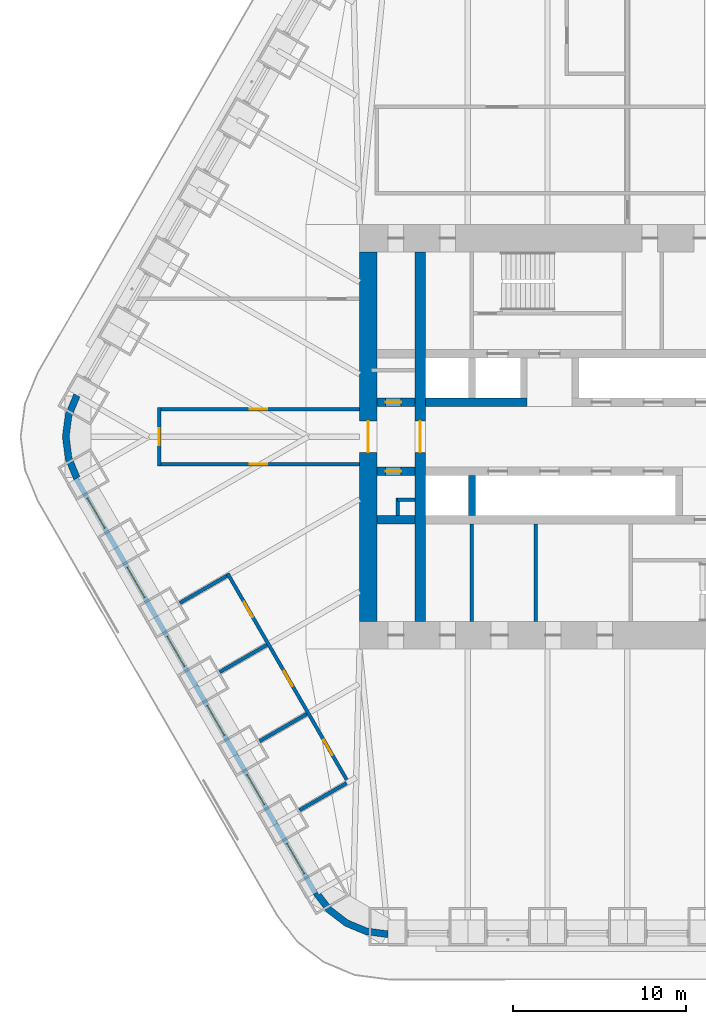
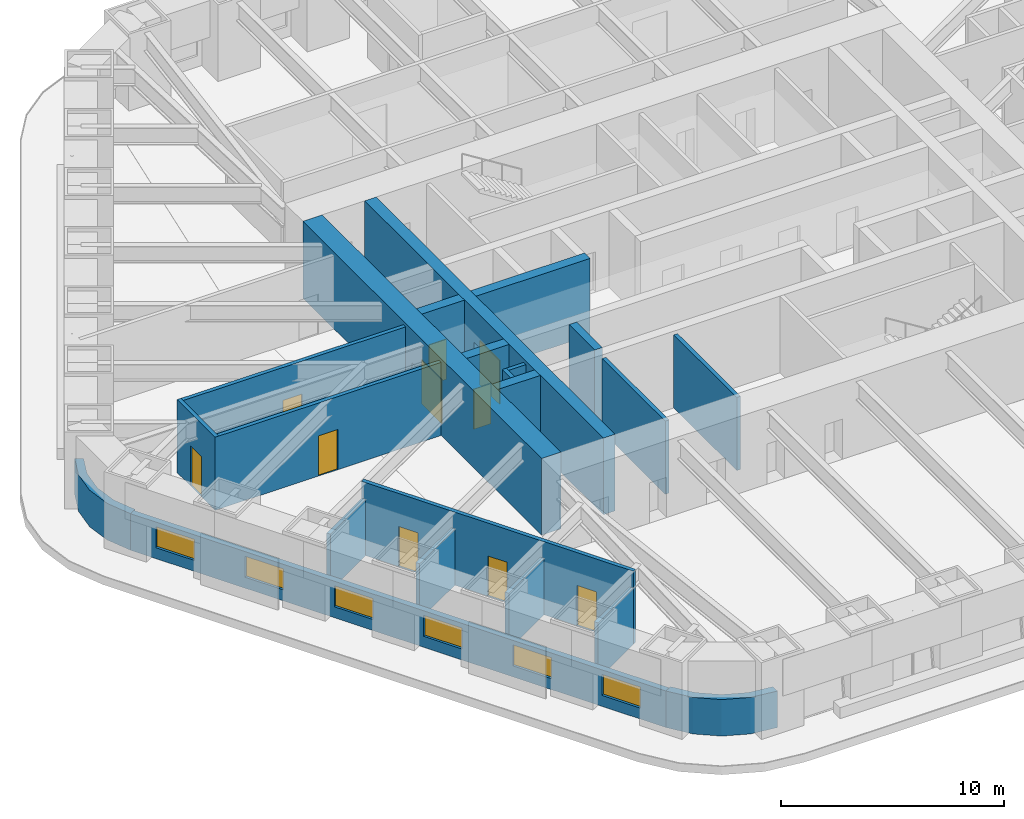
# One storey, part 14 of 20: 22 walls, 10 doors, 6 windows, 16 openings.
"""IFC4 building model written with IfcOpenShell, lengths in metres."""

from ifc_helpers import new_model, si_unit, direction, frame, frame_2d, origin, place, context, subcontext, project, spatial, polyline, rectangle, outline, extrude, material, layer, layer_set, type_object, element, fill, save


model = new_model("IFC4")

# Units and contexts
model_context = context("Model", 3, precision=1e-05, world=origin(), true_north=direction((0.0, 1.0)))
body_context = subcontext(model_context, "Body", "Model", "MODEL_VIEW")
ifc_project = project(units=[si_unit("LENGTHUNIT", "METRE"), si_unit("AREAUNIT", "SQUARE_METRE"), si_unit("VOLUMEUNIT", "CUBIC_METRE"), si_unit("PLANEANGLEUNIT", "RADIAN"), si_unit("MASSUNIT", "GRAM", prefix="KILO")], contexts=[model_context])

# Site, building, storey
site_placement = place(None, origin())
site = spatial("IfcSite", under=ifc_project, at=site_placement, CompositionType="ELEMENT")
building_placement = place(site_placement, origin())
building = spatial("IfcBuilding", under=site, at=building_placement, Name="Tarfa Lantern Tower", CompositionType="ELEMENT")
storey_placement = place(building_placement, frame((0.0, 0.0, 215.5)))
storey = spatial("IfcBuildingStorey", under=building, at=storey_placement, Name="L48", CompositionType="ELEMENT", Elevation=215.5)

# Wall, openings, windows
ifc_material_1 = material(Name="Limestone cladding on blockwork", Category="masonry")
ifc_layer_1 = layer(ifc_material_1, 0.300048828125)
ifc_layer_set_1 = layer_set([ifc_layer_1], Name="EW1 STONE-CLAD WALL 300")
wall_type_1 = type_object("IfcWallType", Name="EW1 STONE-CLAD WALL 300", PredefinedType="SOLIDWALL", material=ifc_layer_set_1)
wall_1_placement = place(storey_placement, frame((-31.9130859375, -2.425048828125, 0.0), z_axis=(0.0, 0.0, 1.0), x_axis=(0.500001051461, -0.866024796723, 0.0)))
wall_1 = element("IfcWall", 1, at=wall_1_placement, inside=storey, type_object=wall_type_1, Name="Stone wall SW", PredefinedType="SOLIDWALL", context=body_context, shape_type="SweptSolid", body=[
    extrude(rectangle(XDim=27.712890625, YDim=0.300048828125, at=frame_2d((13.8564453125, 0.0))), origin(), (0.0, 0.0, 1.0), 2.0),
])
opening_1_placement = place(wall_1_placement, frame((1.309326171875, 0.0, 0.60009765625)))
opening_1 = element("IfcOpeningElement", 2, at=opening_1_placement, cuts=wall_1, Name="Opening W12", PredefinedType="OPENING", context=body_context, shape_type="SweptSolid", body=[
    extrude(rectangle(XDim=2.0, YDim=1.14990234375, at=frame_2d((1.0, 0.574951171875))), frame((0.0, 0.159912109375, 0.0), z_axis=(0.0, -1.0, 0.0), x_axis=(1.0, 0.0, 0.0)), (0.0, 0.0, 1.0), 0.320068359375),
])
opening_2_placement = place(wall_1_placement, frame((5.92822265625, 0.0, 0.60009765625)))
opening_2 = element("IfcOpeningElement", 3, at=opening_2_placement, cuts=wall_1, Name="Opening W12", PredefinedType="OPENING", context=body_context, shape_type="SweptSolid", body=[
    extrude(rectangle(XDim=2.0, YDim=1.14990234375, at=frame_2d((1.0, 0.574951171875))), frame((0.0, 0.159912109375, 0.0), z_axis=(0.0, -1.0, 0.0), x_axis=(1.0, 0.0, 0.0)), (0.0, 0.0, 1.0), 0.320068359375),
])
opening_3_placement = place(wall_1_placement, frame((10.547119140625, 0.0, 0.60009765625)))
opening_3 = element("IfcOpeningElement", 4, at=opening_3_placement, cuts=wall_1, Name="Opening W12", PredefinedType="OPENING", context=body_context, shape_type="SweptSolid", body=[
    extrude(rectangle(XDim=2.0, YDim=1.14990234375, at=frame_2d((1.0, 0.574951171875))), frame((0.0, 0.159912109375, 0.0), z_axis=(0.0, -1.0, 0.0), x_axis=(1.0, 0.0, 0.0)), (0.0, 0.0, 1.0), 0.320068359375),
])
opening_4_placement = place(wall_1_placement, frame((15.165771484375, 0.0, 0.60009765625)))
opening_4 = element("IfcOpeningElement", 5, at=opening_4_placement, cuts=wall_1, Name="Opening W12", PredefinedType="OPENING", context=body_context, shape_type="SweptSolid", body=[
    extrude(rectangle(XDim=2.0, YDim=1.14990234375, at=frame_2d((1.0, 0.574951171875))), frame((0.0, 0.159912109375, 0.0), z_axis=(0.0, -1.0, 0.0), x_axis=(1.0, 0.0, 0.0)), (0.0, 0.0, 1.0), 0.320068359375),
])
opening_5_placement = place(wall_1_placement, frame((19.78466796875, 0.0, 0.60009765625)))
opening_5 = element("IfcOpeningElement", 6, at=opening_5_placement, cuts=wall_1, Name="Opening W12", PredefinedType="OPENING", context=body_context, shape_type="SweptSolid", body=[
    extrude(rectangle(XDim=2.0, YDim=1.14990234375, at=frame_2d((1.0, 0.574951171875))), frame((0.0, 0.159912109375, 0.0), z_axis=(0.0, -1.0, 0.0), x_axis=(1.0, 0.0, 0.0)), (0.0, 0.0, 1.0), 0.320068359375),
])
opening_6_placement = place(wall_1_placement, frame((24.4033203125, 0.0, 0.60009765625)))
opening_6 = element("IfcOpeningElement", 7, at=opening_6_placement, cuts=wall_1, Name="Opening W12", PredefinedType="OPENING", context=body_context, shape_type="SweptSolid", body=[
    extrude(rectangle(XDim=2.0, YDim=1.14990234375, at=frame_2d((1.0, 0.574951171875))), frame((0.0, 0.159912109375, 0.0), z_axis=(0.0, -1.0, 0.0), x_axis=(1.0, 0.0, 0.0)), (0.0, 0.0, 1.0), 0.320068359375),
])
ifc_material_2 = material(Name="Aluminium frame, double glazed", Category="aluminium")
window_type = type_object("IfcWindowType", Name="W12 FULL-HEIGHT GLAZING 2000x1150", PartitioningType="SINGLE_PANEL", PredefinedType="WINDOW", material=ifc_material_2)
window_1_placement = place(opening_1_placement, origin())
window_1 = element("IfcWindow", 8, at=window_1_placement, inside=storey, type_object=window_type, Name="Window SW 1", OverallHeight=1.14990234375, OverallWidth=2.0, PartitioningType="SINGLE_PANEL", PredefinedType="WINDOW", context=body_context, shape_type="SweptSolid", body=[
    extrude(rectangle(XDim=2.0, YDim=1.14990234375, at=frame_2d((1.0, 0.574951171875))), frame((0.0, 0.030029296875, 0.0), z_axis=(0.0, -1.0, 0.0), x_axis=(1.0, 0.0, 0.0)), (0.0, 0.0, 1.0), 0.06005859375),
])
fill(opening_1, window_1)
window_2_placement = place(opening_2_placement, origin())
window_2 = element("IfcWindow", 9, at=window_2_placement, inside=storey, type_object=window_type, Name="Window SW 2", OverallHeight=1.14990234375, OverallWidth=2.0, PartitioningType="SINGLE_PANEL", PredefinedType="WINDOW", context=body_context, shape_type="SweptSolid", body=[
    extrude(rectangle(XDim=2.0, YDim=1.14990234375, at=frame_2d((1.0, 0.574951171875))), frame((0.0, 0.030029296875, 0.0), z_axis=(0.0, -1.0, 0.0), x_axis=(1.0, 0.0, 0.0)), (0.0, 0.0, 1.0), 0.06005859375),
])
fill(opening_2, window_2)
window_3_placement = place(opening_3_placement, origin())
window_3 = element("IfcWindow", 10, at=window_3_placement, inside=storey, type_object=window_type, Name="Window SW 3", OverallHeight=1.14990234375, OverallWidth=2.0, PartitioningType="SINGLE_PANEL", PredefinedType="WINDOW", context=body_context, shape_type="SweptSolid", body=[
    extrude(rectangle(XDim=2.0, YDim=1.14990234375, at=frame_2d((1.0, 0.574951171875))), frame((0.0, 0.030029296875, 0.0), z_axis=(0.0, -1.0, 0.0), x_axis=(1.0, 0.0, 0.0)), (0.0, 0.0, 1.0), 0.06005859375),
])
fill(opening_3, window_3)
window_4_placement = place(opening_4_placement, origin())
window_4 = element("IfcWindow", 11, at=window_4_placement, inside=storey, type_object=window_type, Name="Window SW 4", OverallHeight=1.14990234375, OverallWidth=2.0, PartitioningType="SINGLE_PANEL", PredefinedType="WINDOW", context=body_context, shape_type="SweptSolid", body=[
    extrude(rectangle(XDim=2.0, YDim=1.14990234375, at=frame_2d((1.0, 0.574951171875))), frame((0.0, 0.030029296875, 0.0), z_axis=(0.0, -1.0, 0.0), x_axis=(1.0, 0.0, 0.0)), (0.0, 0.0, 1.0), 0.06005859375),
])
fill(opening_4, window_4)
window_5_placement = place(opening_5_placement, origin())
window_5 = element("IfcWindow", 12, at=window_5_placement, inside=storey, type_object=window_type, Name="Window SW 5", OverallHeight=1.14990234375, OverallWidth=2.0, PartitioningType="SINGLE_PANEL", PredefinedType="WINDOW", context=body_context, shape_type="SweptSolid", body=[
    extrude(rectangle(XDim=2.0, YDim=1.14990234375, at=frame_2d((1.0, 0.574951171875))), frame((0.0, 0.030029296875, 0.0), z_axis=(0.0, -1.0, 0.0), x_axis=(1.0, 0.0, 0.0)), (0.0, 0.0, 1.0), 0.06005859375),
])
fill(opening_5, window_5)
window_6_placement = place(opening_6_placement, origin())
window_6 = element("IfcWindow", 13, at=window_6_placement, inside=storey, type_object=window_type, Name="Window SW 6", OverallHeight=1.14990234375, OverallWidth=2.0, PartitioningType="SINGLE_PANEL", PredefinedType="WINDOW", context=body_context, shape_type="SweptSolid", body=[
    extrude(rectangle(XDim=2.0, YDim=1.14990234375, at=frame_2d((1.0, 0.574951171875))), frame((0.0, 0.030029296875, 0.0), z_axis=(0.0, -1.0, 0.0), x_axis=(1.0, 0.0, 0.0)), (0.0, 0.0, 1.0), 0.06005859375),
])
fill(opening_6, window_6)

# Walls
ifc_layer_2 = layer(ifc_material_1, 0.39990234375)
ifc_layer_set_2 = layer_set([ifc_layer_2], Name="EW2 CURVED STONE CORNER 400")
wall_type_2 = type_object("IfcWallType", Name="EW2 CURVED STONE CORNER 400", PredefinedType="SOLIDWALL", material=ifc_layer_set_2)
wall_2_placement = place(storey_placement, origin())
element("IfcWall", 14, at=wall_2_placement, inside=storey, type_object=wall_type_2, Name="Stone corner NW-SW", PredefinedType="SOLIDWALL", context=body_context, shape_type="SweptSolid", body=[
    extrude(outline(polyline([(-32.04296875, 2.5), (-32.54248046875, 1.294189453125), (-32.712890625, 0.0), (-32.54248046875, -1.294189453125), (-32.04296875, -2.5), (-31.696533203125, -2.300048828125), (-32.156005859375, -1.190673828125), (-32.312744140625, 0.0), (-32.156005859375, 1.190673828125), (-31.696533203125, 2.300048828125), (-32.04296875, 2.5)])), origin(), (0.0, 0.0, 1.0), 2.0),
])
wall_3_placement = place(storey_placement, origin())
element("IfcWall", 15, at=wall_3_placement, inside=storey, type_object=wall_type_2, Name="Stone corner SW-S", PredefinedType="SOLIDWALL", context=body_context, shape_type="SweptSolid", body=[
    extrude(outline(polyline([(-18.1865234375, -26.5), (-17.391845703125, -27.53564453125), (-16.3564453125, -28.330078125), (-15.150390625, -28.82958984375), (-13.8564453125, -29.0), (-13.8564453125, -28.60009765625), (-15.046875, -28.443359375), (-16.156494140625, -27.983642578125), (-17.109130859375, -27.252685546875), (-17.840087890625, -26.300048828125), (-18.1865234375, -26.5)])), origin(), (0.0, 0.0, 1.0), 2.0),
])
ifc_material_3 = material(Name="Concrete blockwork", Category="masonry")
ifc_layer_3 = layer(ifc_material_3, 0.199951171875)
ifc_layer_set_3 = layer_set([ifc_layer_3], Name="IW1 BLOCKWORK PARTITION 200 EI 120")
wall_type_3 = type_object("IfcWallType", Name="IW1 BLOCKWORK PARTITION 200 EI 120", PredefinedType="PARTITIONING", material=ifc_layer_set_3)
for number, where, z_axis, x_axis, name in (
    (16, (-9.0, -5.050048828125, 0.0), (0.0, 0.0, 1.0), (0.0, -1.0, 0.0), "Core partition"),
    (17, (-5.300048828125, -5.050048828125, 0.0), (0.0, 0.0, 1.0), (0.0, -1.0, 0.0), "Core partition"),
):
    element("IfcWall", number, at=place(storey_placement, frame(where, z_axis=z_axis, x_axis=x_axis)), inside=storey, type_object=wall_type_3, Name=name, PredefinedType="PARTITIONING", context=body_context, shape_type="SweptSolid", body=[
        extrude(rectangle(XDim=5.64990234375, YDim=0.199951171875, at=frame_2d((2.824951171875, 0.0))), origin(), (0.0, 0.0, 1.0), 4.0),
    ])
for number, where, z_axis, x_axis, name in (
    (18, (-12.300048828125, -3.64990234375, 0.0), (0.0, 0.0, 1.0), (-1.0, 0.0, 0.0), "Core partition"),
    (19, (-13.300048828125, -3.550048828125, 0.0), (0.0, 0.0, 1.0), (0.0, -1.0, 0.0), "Core partition"),
):
    element("IfcWall", number, at=place(storey_placement, frame(where, z_axis=z_axis, x_axis=x_axis)), inside=storey, type_object=wall_type_3, Name=name, PredefinedType="PARTITIONING", context=body_context, shape_type="SweptSolid", body=[
        extrude(rectangle(XDim=1.0, YDim=0.199951171875, at=frame_2d((0.5, 0.0))), origin(), (0.0, 0.0, 1.0), 4.0),
    ])

# Wall, openings, doors
ifc_material_4 = material(Name="Gypsum board on steel studs", Category="steel")
ifc_layer_4 = layer(ifc_material_4, 0.2099609375)
ifc_layer_set_4 = layer_set([ifc_layer_4], Name="IW2 ACOUSTIC PARTITION 200")
wall_type_4 = type_object("IfcWallType", Name="IW2 ACOUSTIC PARTITION 200", PredefinedType="PARTITIONING", material=ifc_layer_set_4)
wall_4_placement = place(storey_placement, frame((-23.14404296875, -7.913330078125, 0.0), z_axis=(0.0, 0.0, 1.0), x_axis=(0.500002095642, -0.866024193862, 0.0)))
wall_4 = element("IfcWall", 20, at=wall_4_placement, inside=storey, type_object=wall_type_4, Name="Partition", PredefinedType="PARTITIONING", context=body_context, shape_type="SweptSolid", body=[
    extrude(rectangle(XDim=14.056640625, YDim=0.199951171875, at=frame_2d((7.0283203125, 0.0))), origin(), (0.0, 0.0, 1.0), 4.0),
])
opening_7_placement = place(wall_4_placement, frame((1.909423828125, 0.0, 0.0)))
opening_7 = element("IfcOpeningElement", 21, at=opening_7_placement, cuts=wall_4, Name="Opening D30", PredefinedType="OPENING", context=body_context, shape_type="SweptSolid", body=[
    extrude(rectangle(XDim=1.0, YDim=2.199951171875, at=frame_2d((0.5, 1.10009765625))), frame((0.0, 0.10986328125, 0.0), z_axis=(0.0, -1.0, 0.0), x_axis=(1.0, 0.0, 0.0)), (0.0, 0.0, 1.0), 0.219970703125),
])
opening_8_placement = place(wall_4_placement, frame((6.5283203125, 0.0, 0.0)))
opening_8 = element("IfcOpeningElement", 22, at=opening_8_placement, cuts=wall_4, Name="Opening D31", PredefinedType="OPENING", context=body_context, shape_type="SweptSolid", body=[
    extrude(rectangle(XDim=1.0, YDim=2.199951171875, at=frame_2d((0.5, 1.10009765625))), frame((0.0, 0.10986328125, 0.0), z_axis=(0.0, -1.0, 0.0), x_axis=(1.0, 0.0, 0.0)), (0.0, 0.0, 1.0), 0.219970703125),
])
opening_9_placement = place(wall_4_placement, frame((11.14697265625, 0.0, 0.0)))
opening_9 = element("IfcOpeningElement", 23, at=opening_9_placement, cuts=wall_4, Name="Opening D32", PredefinedType="OPENING", context=body_context, shape_type="SweptSolid", body=[
    extrude(rectangle(XDim=1.0, YDim=2.199951171875, at=frame_2d((0.5, 1.10009765625))), frame((0.0, 0.10986328125, 0.0), z_axis=(0.0, -1.0, 0.0), x_axis=(1.0, 0.0, 0.0)), (0.0, 0.0, 1.0), 0.219970703125),
])
ifc_material_5 = material(Name="Timber door", Category="wood")
door_type_1 = type_object("IfcDoorType", Name="DR1 ROOM DOOR 1000x2200", OperationType="SINGLE_SWING_LEFT", PredefinedType="DOOR", material=ifc_material_5)
door_1_placement = place(opening_7_placement, frame((1.0, 0.0, 0.0), z_axis=(0.0, 0.0, 1.0), x_axis=(-1.0, 0.0, 0.0)))
door_1 = element("IfcDoor", 24, at=door_1_placement, inside=storey, type_object=door_type_1, Name="Prayer room male door", OperationType="SINGLE_SWING_LEFT", OverallHeight=2.199951171875, OverallWidth=1.0, PredefinedType="DOOR", context=body_context, shape_type="SweptSolid", body=[
    extrude(rectangle(XDim=1.0, YDim=2.199951171875, at=frame_2d((0.5, 1.10009765625))), frame((0.0, 0.02490234375, 0.0), z_axis=(0.0, -1.0, 0.0), x_axis=(1.0, 0.0, 0.0)), (0.0, 0.0, 1.0), 0.050048828125),
])
fill(opening_7, door_1)
door_2_placement = place(opening_8_placement, frame((1.0, 0.0, 0.0), z_axis=(0.0, 0.0, 1.0), x_axis=(-1.0, 0.0, 0.0)))
door_2 = element("IfcDoor", 25, at=door_2_placement, inside=storey, type_object=door_type_1, Name="Ablution room door", OperationType="SINGLE_SWING_RIGHT", OverallHeight=2.199951171875, OverallWidth=1.0, PredefinedType="DOOR", context=body_context, shape_type="SweptSolid", body=[
    extrude(rectangle(XDim=1.0, YDim=2.199951171875, at=frame_2d((0.5, 1.10009765625))), frame((0.0, 0.02490234375, 0.0), z_axis=(0.0, -1.0, 0.0), x_axis=(1.0, 0.0, 0.0)), (0.0, 0.0, 1.0), 0.050048828125),
])
fill(opening_8, door_2)
door_3_placement = place(opening_9_placement, frame((1.0, 0.0, 0.0), z_axis=(0.0, 0.0, 1.0), x_axis=(-1.0, 0.0, 0.0)))
door_3 = element("IfcDoor", 26, at=door_3_placement, inside=storey, type_object=door_type_1, Name="Prayer room female door", OperationType="SINGLE_SWING_RIGHT", OverallHeight=2.199951171875, OverallWidth=1.0, PredefinedType="DOOR", context=body_context, shape_type="SweptSolid", body=[
    extrude(rectangle(XDim=1.0, YDim=2.199951171875, at=frame_2d((0.5, 1.10009765625))), frame((0.0, 0.02490234375, 0.0), z_axis=(0.0, -1.0, 0.0), x_axis=(1.0, 0.0, 0.0)), (0.0, 0.0, 1.0), 0.050048828125),
])
fill(opening_9, door_3)

# Walls
for number, where, z_axis, x_axis, name in (
    (27, (-23.1806640625, -8.050048828125, 0.0), (0.0, 0.0, 1.0), (-0.866035871367, -0.499981869177, 0.0), "Partition"),
    (28, (-20.87109375, -12.050048828125, 0.0), (0.0, 0.0, 1.0), (-0.866035871367, -0.499981869177, 0.0), "Partition"),
    (29, (-18.561767578125, -16.050048828125, 0.0), (0.0, 0.0, 1.0), (-0.866035871367, -0.499981869177, 0.0), "Partition"),
    (30, (-16.25244140625, -20.050048828125, 0.0), (0.0, 0.0, 1.0), (-0.866035871367, -0.499981869177, 0.0), "Partition"),
):
    element("IfcWall", number, at=place(storey_placement, frame(where, z_axis=z_axis, x_axis=x_axis)), inside=storey, type_object=wall_type_4, Name=name, PredefinedType="PARTITIONING", context=body_context, shape_type="SweptSolid", body=[
        extrude(rectangle(XDim=3.14990234375, YDim=0.199951171875, at=frame_2d((1.574951171875, 0.0))), origin(), (0.0, 0.0, 1.0), 3.08154296875),
    ])

# Wall, opening, door
wall_5_placement = place(storey_placement, frame((-15.5, 1.60009765625, 0.0), z_axis=(0.0, 0.0, 1.0), x_axis=(-1.0, 0.0, 0.0)))
wall_5 = element("IfcWall", 31, at=wall_5_placement, inside=storey, type_object=wall_type_4, Name="Partition", PredefinedType="PARTITIONING", context=body_context, shape_type="SweptSolid", body=[
    extrude(rectangle(XDim=11.699951171875, YDim=0.199951171875, at=frame_2d((5.85009765625, 0.0))), origin(), (0.0, 0.0, 1.0), 4.0),
])
opening_10_placement = place(wall_5_placement, frame((5.35009765625, 0.0, 0.0)))
opening_10 = element("IfcOpeningElement", 32, at=opening_10_placement, cuts=wall_5, Name="Opening D42", PredefinedType="OPENING", context=body_context, shape_type="SweptSolid", body=[
    extrude(rectangle(XDim=1.0, YDim=2.199951171875, at=frame_2d((0.5, 1.10009765625))), frame((0.0, 0.10986328125, 0.0), z_axis=(0.0, -1.0, 0.0), x_axis=(1.0, 0.0, 0.0)), (0.0, 0.0, 1.0), 0.219970703125),
])
door_4_placement = place(opening_10_placement, frame((1.0, 0.0, 0.0), z_axis=(0.0, 0.0, 1.0), x_axis=(-1.0, 0.0, 0.0)))
door_4 = element("IfcDoor", 33, at=door_4_placement, inside=storey, type_object=door_type_1, Name="Corridor door", OperationType="SINGLE_SWING_LEFT", OverallHeight=2.199951171875, OverallWidth=1.0, PredefinedType="DOOR", context=body_context, shape_type="SweptSolid", body=[
    extrude(rectangle(XDim=1.0, YDim=2.199951171875, at=frame_2d((0.5, 1.10009765625))), frame((0.0, 0.02490234375, 0.0), z_axis=(0.0, -1.0, 0.0), x_axis=(1.0, 0.0, 0.0)), (0.0, 0.0, 1.0), 0.050048828125),
])
fill(opening_10, door_4)

wall_6_placement = place(storey_placement, frame((-15.5, -1.60009765625, 0.0), z_axis=(0.0, 0.0, 1.0), x_axis=(-1.0, 0.0, 0.0)))
wall_6 = element("IfcWall", 34, at=wall_6_placement, inside=storey, type_object=wall_type_4, Name="Partition", PredefinedType="PARTITIONING", context=body_context, shape_type="SweptSolid", body=[
    extrude(rectangle(XDim=11.699951171875, YDim=0.199951171875, at=frame_2d((5.85009765625, 0.0))), origin(), (0.0, 0.0, 1.0), 4.0),
])
opening_11_placement = place(wall_6_placement, frame((5.35009765625, 0.0, 0.0)))
opening_11 = element("IfcOpeningElement", 35, at=opening_11_placement, cuts=wall_6, Name="Opening D43", PredefinedType="OPENING", context=body_context, shape_type="SweptSolid", body=[
    extrude(rectangle(XDim=1.0, YDim=2.199951171875, at=frame_2d((0.5, 1.10009765625))), frame((0.0, 0.10986328125, 0.0), z_axis=(0.0, -1.0, 0.0), x_axis=(1.0, 0.0, 0.0)), (0.0, 0.0, 1.0), 0.219970703125),
])
door_5_placement = place(opening_11_placement, origin())
door_5 = element("IfcDoor", 36, at=door_5_placement, inside=storey, type_object=door_type_1, Name="Corridor door", OperationType="SINGLE_SWING_RIGHT", OverallHeight=2.199951171875, OverallWidth=1.0, PredefinedType="DOOR", context=body_context, shape_type="SweptSolid", body=[
    extrude(rectangle(XDim=1.0, YDim=2.199951171875, at=frame_2d((0.5, 1.10009765625))), frame((0.0, 0.02490234375, 0.0), z_axis=(0.0, -1.0, 0.0), x_axis=(1.0, 0.0, 0.0)), (0.0, 0.0, 1.0), 0.050048828125),
])
fill(opening_11, door_5)

wall_7_placement = place(storey_placement, frame((-27.10009765625, -1.699951171875, 0.0), z_axis=(0.0, 0.0, 1.0), x_axis=(0.0, 1.0, 0.0)))
wall_7 = element("IfcWall", 37, at=wall_7_placement, inside=storey, type_object=wall_type_4, Name="Partition", PredefinedType="PARTITIONING", context=body_context, shape_type="SweptSolid", body=[
    extrude(rectangle(XDim=3.39990234375, YDim=0.199951171875, at=frame_2d((1.699951171875, 0.0))), origin(), (0.0, 0.0, 1.0), 4.0),
])
opening_12_placement = place(wall_7_placement, frame((1.199951171875, 0.0, 0.0)))
opening_12 = element("IfcOpeningElement", 38, at=opening_12_placement, cuts=wall_7, Name="Opening D41", PredefinedType="OPENING", context=body_context, shape_type="SweptSolid", body=[
    extrude(rectangle(XDim=1.0, YDim=2.199951171875, at=frame_2d((0.5, 1.10009765625))), frame((0.0, 0.10986328125, 0.0), z_axis=(0.0, -1.0, 0.0), x_axis=(1.0, 0.0, 0.0)), (0.0, 0.0, 1.0), 0.219970703125),
])
door_6_placement = place(opening_12_placement, origin())
door_6 = element("IfcDoor", 39, at=door_6_placement, inside=storey, type_object=door_type_1, Name="Corridor door", OperationType="SINGLE_SWING_RIGHT", OverallHeight=2.199951171875, OverallWidth=1.0, PredefinedType="DOOR", context=body_context, shape_type="SweptSolid", body=[
    extrude(rectangle(XDim=1.0, YDim=2.199951171875, at=frame_2d((0.5, 1.10009765625))), frame((0.0, 0.02490234375, 0.0), z_axis=(0.0, -1.0, 0.0), x_axis=(1.0, 0.0, 0.0)), (0.0, 0.0, 1.0), 0.050048828125),
])
fill(opening_12, door_6)

ifc_material_6 = material(Name="Concrete C80/95", Category="concrete")
ifc_layer_5 = layer(ifc_material_6, 1.0)
ifc_layer_set_5 = layer_set([ifc_layer_5], Name="SW2 CORE WALL 1000")
wall_type_5 = type_object("IfcWallType", Name="SW2 CORE WALL 1000", PredefinedType="SHEAR", material=ifc_layer_set_5)
wall_8_placement = place(storey_placement, frame((-15.0, 10.699951171875, 0.0), z_axis=(0.0, 0.0, 1.0), x_axis=(0.0, -1.0, 0.0)))
wall_8 = element("IfcWall", 40, at=wall_8_placement, inside=storey, type_object=wall_type_5, Name="Core wall W", PredefinedType="SHEAR", context=body_context, shape_type="SweptSolid", body=[
    extrude(rectangle(XDim=21.39990234375, YDim=1.0, at=frame_2d((10.699951171875, 0.0))), origin(), (0.0, 0.0, 1.0), 4.199951171875),
])
opening_13_placement = place(wall_8_placement, frame((9.800048828125, 0.0, 0.0)))
opening_13 = element("IfcOpeningElement", 41, at=opening_13_placement, cuts=wall_8, Name="Opening D12", PredefinedType="OPENING", context=body_context, shape_type="SweptSolid", body=[
    extrude(rectangle(XDim=1.800048828125, YDim=2.39990234375, at=frame_2d((0.89990234375, 1.199951171875))), frame((0.0, 0.510009765625, 0.0), z_axis=(0.0, -1.0, 0.0), x_axis=(1.0, 0.0, 0.0)), (0.0, 0.0, 1.0), 1.02001953125),
])
ifc_material_7 = material(Name="Steel fire door", Category="steel")
door_type_2 = type_object("IfcDoorType", Name="DL1 LOBBY DOOR 1800x2400", OperationType="DOUBLE_DOOR_SINGLE_SWING", PredefinedType="DOOR", material=ifc_material_7)
door_7_placement = place(opening_13_placement, frame((1.800048828125, 0.0, 0.0), z_axis=(0.0, 0.0, 1.0), x_axis=(-1.0, 0.0, 0.0)))
door_7 = element("IfcDoor", 42, at=door_7_placement, inside=storey, type_object=door_type_2, Name="Lift lobby door", OperationType="DOUBLE_DOOR_SINGLE_SWING", OverallHeight=2.39990234375, OverallWidth=1.800048828125, PredefinedType="DOOR", context=body_context, shape_type="SweptSolid", body=[
    extrude(rectangle(XDim=1.800048828125, YDim=2.39990234375, at=frame_2d((0.89990234375, 1.199951171875))), frame((0.0, 0.02490234375, 0.0), z_axis=(0.0, -1.0, 0.0), x_axis=(1.0, 0.0, 0.0)), (0.0, 0.0, 1.0), 0.050048828125),
])
fill(opening_13, door_7)

ifc_layer_6 = layer(ifc_material_6, 0.5)
ifc_layer_set_6 = layer_set([ifc_layer_6], Name="SW5 CORE WALL 500")
wall_type_6 = type_object("IfcWallType", Name="SW5 CORE WALL 500", PredefinedType="SHEAR", material=ifc_layer_set_6)
wall_9_placement = place(storey_placement, frame((-14.5, 2.0, 0.0), z_axis=(0.0, 0.0, 1.0), x_axis=(1.0, 0.0, 0.0)))
wall_9 = element("IfcWall", 43, at=wall_9_placement, inside=storey, type_object=wall_type_6, Name="Core wall lobby west N", PredefinedType="SHEAR", context=body_context, shape_type="SweptSolid", body=[
    extrude(rectangle(XDim=2.199951171875, YDim=0.5, at=frame_2d((1.10009765625, 0.0))), origin(), (0.0, 0.0, 1.0), 4.199951171875),
])
opening_14_placement = place(wall_9_placement, frame((0.5, 0.0, 0.0)))
opening_14 = element("IfcOpeningElement", 44, at=opening_14_placement, cuts=wall_9, Name="Opening D15", PredefinedType="OPENING", context=body_context, shape_type="SweptSolid", body=[
    extrude(rectangle(XDim=0.89990234375, YDim=2.199951171875, at=frame_2d((0.449951171875, 1.10009765625))), frame((0.0, 0.260009765625, 0.0), z_axis=(0.0, -1.0, 0.0), x_axis=(1.0, 0.0, 0.0)), (0.0, 0.0, 1.0), 0.52001953125),
])
door_type_3 = type_object("IfcDoorType", Name="DF6 SERVICE ROOM DOOR 900x2200", OperationType="SINGLE_SWING_LEFT", PredefinedType="DOOR", material=ifc_material_7)
door_8_placement = place(opening_14_placement, origin())
door_8 = element("IfcDoor", 45, at=door_8_placement, inside=storey, type_object=door_type_3, Name="Service room door", OperationType="SINGLE_SWING_RIGHT", OverallHeight=2.199951171875, OverallWidth=0.89990234375, PredefinedType="DOOR", context=body_context, shape_type="SweptSolid", body=[
    extrude(rectangle(XDim=0.89990234375, YDim=2.199951171875, at=frame_2d((0.449951171875, 1.10009765625))), frame((0.0, 0.02490234375, 0.0), z_axis=(0.0, -1.0, 0.0), x_axis=(1.0, 0.0, 0.0)), (0.0, 0.0, 1.0), 0.050048828125),
])
fill(opening_14, door_8)

# Wall
wall_10_placement = place(storey_placement, frame((-11.699951171875, 2.0, 0.0), z_axis=(0.0, 0.0, 1.0), x_axis=(1.0, 0.0, 0.0)))
element("IfcWall", 46, at=wall_10_placement, inside=storey, type_object=wall_type_6, Name="Core wall lobby west N", PredefinedType="SHEAR", context=body_context, shape_type="SweptSolid", body=[
    extrude(rectangle(XDim=5.89990234375, YDim=0.5, at=frame_2d((2.949951171875, 0.0))), origin(), (0.0, 0.0, 1.0), 4.199951171875),
])

# Wall, opening, door
wall_11_placement = place(storey_placement, frame((-12.300048828125, -2.0, 0.0), z_axis=(0.0, 0.0, 1.0), x_axis=(-1.0, 0.0, 0.0)))
wall_11 = element("IfcWall", 47, at=wall_11_placement, inside=storey, type_object=wall_type_6, Name="Core wall lobby east S", PredefinedType="SHEAR", context=body_context, shape_type="SweptSolid", body=[
    extrude(rectangle(XDim=2.199951171875, YDim=0.5, at=frame_2d((1.10009765625, 0.0))), origin(), (0.0, 0.0, 1.0), 4.199951171875),
])
opening_15_placement = place(wall_11_placement, frame((0.800048828125, 0.0, 0.0)))
opening_15 = element("IfcOpeningElement", 48, at=opening_15_placement, cuts=wall_11, Name="Opening D14", PredefinedType="OPENING", context=body_context, shape_type="SweptSolid", body=[
    extrude(rectangle(XDim=0.89990234375, YDim=2.199951171875, at=frame_2d((0.449951171875, 1.10009765625))), frame((0.0, 0.260009765625, 0.0), z_axis=(0.0, -1.0, 0.0), x_axis=(1.0, 0.0, 0.0)), (0.0, 0.0, 1.0), 0.52001953125),
])
door_9_placement = place(opening_15_placement, origin())
door_9 = element("IfcDoor", 49, at=door_9_placement, inside=storey, type_object=door_type_3, Name="Service room door", OperationType="SINGLE_SWING_LEFT", OverallHeight=2.199951171875, OverallWidth=0.89990234375, PredefinedType="DOOR", context=body_context, shape_type="SweptSolid", body=[
    extrude(rectangle(XDim=0.89990234375, YDim=2.199951171875, at=frame_2d((0.449951171875, 1.10009765625))), frame((0.0, 0.02490234375, 0.0), z_axis=(0.0, -1.0, 0.0), x_axis=(1.0, 0.0, 0.0)), (0.0, 0.0, 1.0), 0.050048828125),
])
fill(opening_15, door_9)

# Walls
wall_12_placement = place(storey_placement, frame((-12.300048828125, -4.800048828125, 0.0), z_axis=(0.0, 0.0, 1.0), x_axis=(-1.0, 0.0, 0.0)))
element("IfcWall", 50, at=wall_12_placement, inside=storey, type_object=wall_type_6, Name="Core wall rear S", PredefinedType="SHEAR", context=body_context, shape_type="SweptSolid", body=[
    extrude(rectangle(XDim=2.199951171875, YDim=0.5, at=frame_2d((1.10009765625, 0.0))), origin(), (0.0, 0.0, 1.0), 4.199951171875),
])
ifc_layer_7 = layer(ifc_material_6, 0.39990234375)
ifc_layer_set_7 = layer_set([ifc_layer_7], Name="SW6 CORE WALL 400")
wall_type_7 = type_object("IfcWallType", Name="SW6 CORE WALL 400", PredefinedType="SHEAR", material=ifc_layer_set_7)
wall_13_placement = place(storey_placement, frame((-9.0, -2.25, 0.0), z_axis=(0.0, 0.0, 1.0), x_axis=(0.0, -1.0, 0.0)))
element("IfcWall", 51, at=wall_13_placement, inside=storey, type_object=wall_type_7, Name="Core wall divider S", PredefinedType="SHEAR", context=body_context, shape_type="SweptSolid", body=[
    extrude(rectangle(XDim=2.300048828125, YDim=0.39990234375, at=frame_2d((1.14990234375, 0.0))), origin(), (0.0, 0.0, 1.0), 4.199951171875),
])

# Wall, opening, door
ifc_layer_8 = layer(ifc_material_6, 0.60009765625)
ifc_layer_set_8 = layer_set([ifc_layer_8], Name="SW9 CORE WALL 600")
wall_type_8 = type_object("IfcWallType", Name="SW9 CORE WALL 600", PredefinedType="SHEAR", material=ifc_layer_set_8)
wall_14_placement = place(storey_placement, frame((-12.0, -10.699951171875, 0.0), z_axis=(0.0, 0.0, 1.0), x_axis=(0.0, 1.0, 0.0)))
wall_14 = element("IfcWall", 52, at=wall_14_placement, inside=storey, type_object=wall_type_8, Name="Core wall cross 12 m west", PredefinedType="SHEAR", context=body_context, shape_type="SweptSolid", body=[
    extrude(rectangle(XDim=21.39990234375, YDim=0.60009765625, at=frame_2d((10.699951171875, 0.0))), origin(), (0.0, 0.0, 1.0), 4.199951171875),
])
opening_16_placement = place(wall_14_placement, frame((9.800048828125, 0.0, 0.0)))
opening_16 = element("IfcOpeningElement", 53, at=opening_16_placement, cuts=wall_14, Name="Opening D26", PredefinedType="OPENING", context=body_context, shape_type="SweptSolid", body=[
    extrude(rectangle(XDim=1.800048828125, YDim=2.39990234375, at=frame_2d((0.89990234375, 1.199951171875))), frame((0.0, 0.31005859375, 0.0), z_axis=(0.0, -1.0, 0.0), x_axis=(1.0, 0.0, 0.0)), (0.0, 0.0, 1.0), 0.6201171875),
])
door_10_placement = place(opening_16_placement, origin())
door_10 = element("IfcDoor", 54, at=door_10_placement, inside=storey, type_object=door_type_2, Name="Lift lobby door", OperationType="DOUBLE_DOOR_SINGLE_SWING", OverallHeight=2.39990234375, OverallWidth=1.800048828125, PredefinedType="DOOR", context=body_context, shape_type="SweptSolid", body=[
    extrude(rectangle(XDim=1.800048828125, YDim=2.39990234375, at=frame_2d((0.89990234375, 1.199951171875))), frame((0.0, 0.02490234375, 0.0), z_axis=(0.0, -1.0, 0.0), x_axis=(1.0, 0.0, 0.0)), (0.0, 0.0, 1.0), 0.050048828125),
])
fill(opening_16, door_10)

save(model, "model.ifc")
